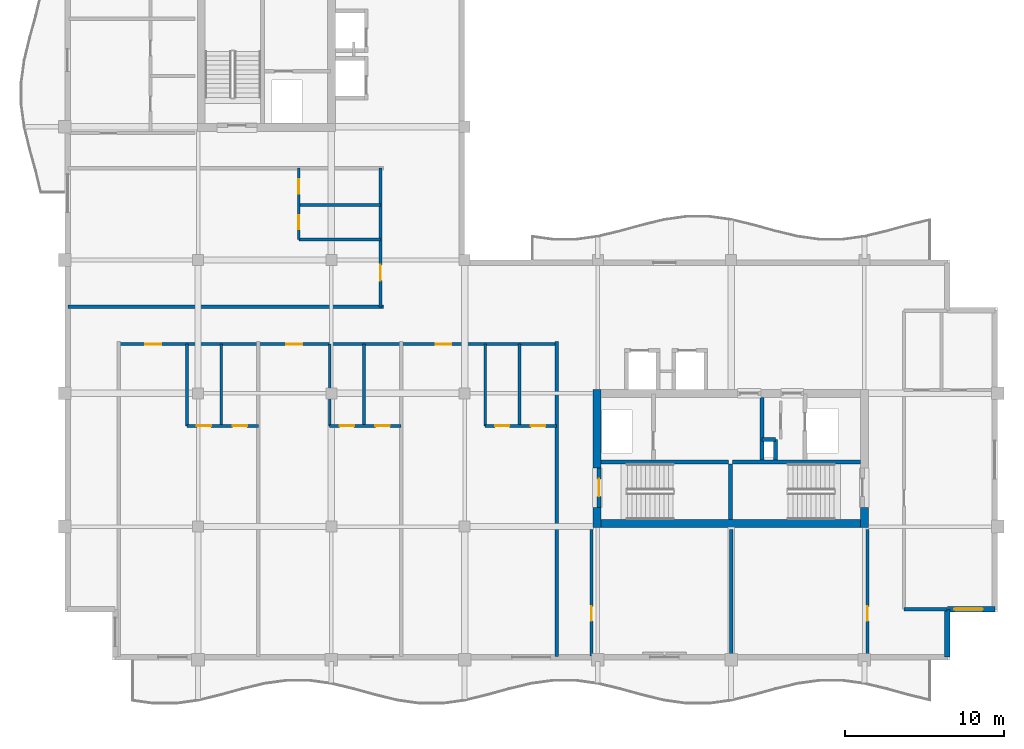
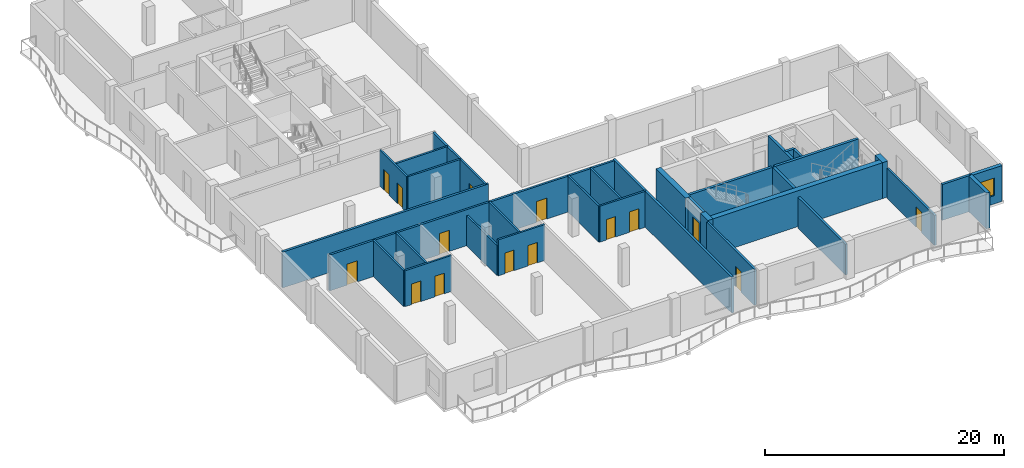
# One storey, part 3 of 10: 33 walls, 15 doors, 1 window, 16 openings.
"""IFC4 building model written with IfcOpenShell, lengths in metres."""

from ifc_helpers import new_model, si_unit, direction, frame, frame_2d, origin, place, context, subcontext, project, spatial, rectangle, extrude, material, layer, layer_set, type_object, element, fill, save


model = new_model("IFC4")

# Units and contexts
model_context = context("Model", 3, precision=1e-05, world=origin(), true_north=direction((0.0, 1.0)))
body_context = subcontext(model_context, "Body", "Model", "MODEL_VIEW")
ifc_project = project(units=[si_unit("LENGTHUNIT", "METRE"), si_unit("AREAUNIT", "SQUARE_METRE"), si_unit("VOLUMEUNIT", "CUBIC_METRE"), si_unit("PLANEANGLEUNIT", "RADIAN"), si_unit("MASSUNIT", "GRAM", prefix="KILO")], contexts=[model_context])

# Site, building, storey
site_placement = place(None, origin())
site = spatial("IfcSite", under=ifc_project, at=site_placement, CompositionType="ELEMENT")
building_placement = place(site_placement, origin())
building = spatial("IfcBuilding", under=site, at=building_placement, Name="Koriwani Terraces Tower", CompositionType="ELEMENT")
storey_placement = place(building_placement, frame((0.0, 0.0, 304.699951171875)))
storey = spatial("IfcBuildingStorey", under=building, at=storey_placement, Name="L75", CompositionType="ELEMENT", Elevation=304.699951171875)

# Walls
ifc_material_1 = material(Name="Concrete C50/60", Category="concrete")
ifc_layer_1 = layer(ifc_material_1, 0.5, Name="Concrete C50/60")
ifc_layer_set_1 = layer_set([ifc_layer_1], Name="Concrete C50/60")
wall_type_1 = type_object("IfcWallType", Name="WALL_CORE_RC_500", PredefinedType="SHEAR", material=ifc_layer_set_1)
wall_1_placement = place(storey_placement, frame((41.949951171875, 16.75, 0.0), z_axis=(0.0, 0.0, 1.0), x_axis=(0.0, 1.0, 0.0)))
element("IfcWall", 1, at=wall_1_placement, inside=storey, type_object=wall_type_1, Name="L75 East Split Core Shear Wall W1", PredefinedType="SHEAR", context=body_context, shape_type="SweptSolid", body=[
    extrude(rectangle(XDim=1.25, YDim=0.5, at=frame_2d((0.625, 0.0))), origin(), (0.0, 0.0, 1.0), 3.670166015625),
])
wall_2_placement = place(storey_placement, frame((41.949951171875, 20.5, 0.0), z_axis=(0.0, 0.0, 1.0), x_axis=(0.0, 1.0, 0.0)))
element("IfcWall", 2, at=wall_2_placement, inside=storey, type_object=wall_type_1, Name="L75 East Split Core Shear Wall W2", PredefinedType="SHEAR", context=body_context, shape_type="SweptSolid", body=[
    extrude(rectangle(XDim=4.949951171875, YDim=0.5, at=frame_2d((2.47509765625, 0.0))), origin(), (0.0, 0.0, 1.0), 3.670166015625),
])
wall_3_placement = place(storey_placement, frame((58.800048828125, 16.75, 0.0), z_axis=(0.0, 0.0, 1.0), x_axis=(0.0, 1.0, 0.0)))
element("IfcWall", 3, at=wall_3_placement, inside=storey, type_object=wall_type_1, Name="L75 East Split Core Shear Wall E1", PredefinedType="SHEAR", context=body_context, shape_type="SweptSolid", body=[
    extrude(rectangle(XDim=1.25, YDim=0.5, at=frame_2d((0.625, 0.0))), origin(), (0.0, 0.0, 1.0), 3.670166015625),
])
wall_4_placement = place(storey_placement, frame((42.199951171875, 17.0, 0.0), z_axis=(0.0, 0.0, 1.0), x_axis=(1.0, 0.0, 0.0)))
element("IfcWall", 4, at=wall_4_placement, inside=storey, type_object=wall_type_1, Name="L75 East Split Core Shear Wall S1", PredefinedType="SHEAR", context=body_context, shape_type="SweptSolid", body=[
    extrude(rectangle(XDim=16.35009765625, YDim=0.5, at=frame_2d((8.175048828125, 0.0))), origin(), (0.0, 0.0, 1.0), 3.670166015625),
])

# Wall, opening, door
ifc_material_2 = material(Name="Autoclaved Cellular Concrete Blockwork", Category="masonry")
ifc_layer_2 = layer(ifc_material_2, 0.199951171875, Name="Autoclaved Cellular Concrete Blockwork")
ifc_layer_set_2 = layer_set([ifc_layer_2], Name="Autoclaved Cellular Concrete Blockwork")
wall_type_2 = type_object("IfcWallType", Name="WALL_CORRIDOR_200", PredefinedType="PARTITIONING", material=ifc_layer_set_2)
wall_5_placement = place(storey_placement, frame((41.60009765625, 8.64990234375, 0.0), z_axis=(0.0, 0.0, 1.0), x_axis=(0.0, 1.0, 0.0)))
wall_5 = element("IfcWall", 5, at=wall_5_placement, inside=storey, type_object=wall_type_2, Name="L75 Interior Wall WRZ4-EW-L75", PredefinedType="PARTITIONING", context=body_context, shape_type="SweptSolid", body=[
    extrude(rectangle(XDim=7.9501953125, YDim=0.199951171875, at=frame_2d((3.97509765625, 0.0))), origin(), (0.0, 0.0, 1.0), 3.670166015625),
])
opening_1_placement = place(wall_5_placement, frame((2.199951171875, 0.0, 0.0)))
opening_1 = element("IfcOpeningElement", 6, at=opening_1_placement, cuts=wall_5, Name="Opening D-06", PredefinedType="OPENING", context=body_context, shape_type="SweptSolid", body=[
    extrude(rectangle(XDim=0.919921875, YDim=2.10009765625, at=frame_2d((0.4599609375, 1.050048828125))), frame((0.0, 0.10986328125, 0.0), z_axis=(0.0, -1.0, 0.0), x_axis=(1.0, 0.0, 0.0)), (0.0, 0.0, 1.0), 0.219970703125),
])
ifc_material_3 = material(Name="Architectural Oak Fire Door", Category="wood")
door_type_1 = type_object("IfcDoorType", Name="DOOR_ROOM_INT_920X2100", OperationType="NOTDEFINED", PredefinedType="DOOR", material=ifc_material_3)
door_1_placement = place(opening_1_placement, origin())
door_1 = element("IfcDoor", 7, at=door_1_placement, inside=storey, type_object=door_type_1, Name="L75 Resident Library Study Door", OperationType="SINGLE_SWING_LEFT", OverallHeight=2.10009765625, OverallWidth=0.919921875, PredefinedType="DOOR", context=body_context, shape_type="SweptSolid", body=[
    extrude(rectangle(XDim=0.919921875, YDim=2.10009765625, at=frame_2d((0.4599609375, 1.050048828125))), frame((0.0, 0.02490234375, 0.0), z_axis=(0.0, -1.0, 0.0), x_axis=(1.0, 0.0, 0.0)), (0.0, 0.0, 1.0), 0.050048828125),
])
fill(opening_1, door_1)

wall_6_placement = place(storey_placement, frame((59.0, 8.64990234375, 0.0), z_axis=(0.0, 0.0, 1.0), x_axis=(0.0, 1.0, 0.0)))
wall_6 = element("IfcWall", 8, at=wall_6_placement, inside=storey, type_object=wall_type_2, Name="L75 Interior Wall WRZ4-EE-L75", PredefinedType="PARTITIONING", context=body_context, shape_type="SweptSolid", body=[
    extrude(rectangle(XDim=7.9501953125, YDim=0.199951171875, at=frame_2d((3.97509765625, 0.0))), origin(), (0.0, 0.0, 1.0), 3.070068359375),
])
opening_2_placement = place(wall_6_placement, frame((2.199951171875, 0.0, 0.0)))
opening_2 = element("IfcOpeningElement", 9, at=opening_2_placement, cuts=wall_6, Name="Opening D-06", PredefinedType="OPENING", context=body_context, shape_type="SweptSolid", body=[
    extrude(rectangle(XDim=0.919921875, YDim=2.10009765625, at=frame_2d((0.4599609375, 1.050048828125))), frame((0.0, 0.10986328125, 0.0), z_axis=(0.0, -1.0, 0.0), x_axis=(1.0, 0.0, 0.0)), (0.0, 0.0, 1.0), 0.219970703125),
])
door_2_placement = place(opening_2_placement, origin())
door_2 = element("IfcDoor", 10, at=door_2_placement, inside=storey, type_object=door_type_1, Name="L75 Resident Laundry Room Door", OperationType="SINGLE_SWING_RIGHT", OverallHeight=2.10009765625, OverallWidth=0.919921875, PredefinedType="DOOR", context=body_context, shape_type="SweptSolid", body=[
    extrude(rectangle(XDim=0.919921875, YDim=2.10009765625, at=frame_2d((0.4599609375, 1.050048828125))), frame((0.0, 0.02490234375, 0.0), z_axis=(0.0, -1.0, 0.0), x_axis=(1.0, 0.0, 0.0)), (0.0, 0.0, 1.0), 0.050048828125),
])
fill(opening_2, door_2)

# Wall, openings, doors
wall_7_placement = place(storey_placement, frame((11.800048828125, 28.300048828125, 0.0), z_axis=(0.0, 0.0, 1.0), x_axis=(1.0, 0.0, 0.0)))
wall_7 = element("IfcWall", 11, at=wall_7_placement, inside=storey, type_object=wall_type_2, Name="L75 Interior Wall WRCOR-L75-SW-0", PredefinedType="PARTITIONING", context=body_context, shape_type="SweptSolid", body=[
    extrude(rectangle(XDim=27.599853515625, YDim=0.199951171875, at=frame_2d((13.7998046875, 0.0))), origin(), (0.0, 0.0, 1.0), 3.670166015625),
])
opening_3_placement = place(wall_7_placement, frame((1.669921875, 0.0, 0.0)))
opening_3 = element("IfcOpeningElement", 12, at=opening_3_placement, cuts=wall_7, Name="Opening D-05", PredefinedType="OPENING", context=body_context, shape_type="SweptSolid", body=[
    extrude(rectangle(XDim=1.0, YDim=2.14990234375, at=frame_2d((0.5, 1.074951171875))), frame((0.0, 0.10986328125, 0.0), z_axis=(0.0, -1.0, 0.0), x_axis=(1.0, 0.0, 0.0)), (0.0, 0.0, 1.0), 0.219970703125),
])
opening_4_placement = place(wall_7_placement, frame((10.570068359375, 0.0, 0.0)))
opening_4 = element("IfcOpeningElement", 13, at=opening_4_placement, cuts=wall_7, Name="Opening D-05", PredefinedType="OPENING", context=body_context, shape_type="SweptSolid", body=[
    extrude(rectangle(XDim=1.0, YDim=2.14990234375, at=frame_2d((0.5, 1.074951171875))), frame((0.0, 0.10986328125, 0.0), z_axis=(0.0, -1.0, 0.0), x_axis=(1.0, 0.0, 0.0)), (0.0, 0.0, 1.0), 0.219970703125),
])
opening_5_placement = place(wall_7_placement, frame((19.969970703125, 0.0, 0.0)))
opening_5 = element("IfcOpeningElement", 14, at=opening_5_placement, cuts=wall_7, Name="Opening D-05", PredefinedType="OPENING", context=body_context, shape_type="SweptSolid", body=[
    extrude(rectangle(XDim=1.0, YDim=2.14990234375, at=frame_2d((0.5, 1.074951171875))), frame((0.0, 0.10986328125, 0.0), z_axis=(0.0, -1.0, 0.0), x_axis=(1.0, 0.0, 0.0)), (0.0, 0.0, 1.0), 0.219970703125),
])
door_type_2 = type_object("IfcDoorType", Name="DOOR_SUITE_ENTRY_1000X2150", OperationType="NOTDEFINED", PredefinedType="DOOR", material=ifc_material_3)
door_3_placement = place(opening_3_placement, origin())
door_3 = element("IfcDoor", 15, at=door_3_placement, inside=storey, type_object=door_type_2, Name="Apartment 75SW1 Entrance Door", OperationType="SINGLE_SWING_LEFT", OverallHeight=2.14990234375, OverallWidth=1.0, PredefinedType="DOOR", context=body_context, shape_type="SweptSolid", body=[
    extrude(rectangle(XDim=1.0, YDim=2.14990234375, at=frame_2d((0.5, 1.074951171875))), frame((0.0, 0.02490234375, 0.0), z_axis=(0.0, -1.0, 0.0), x_axis=(1.0, 0.0, 0.0)), (0.0, 0.0, 1.0), 0.050048828125),
])
fill(opening_3, door_3)
door_4_placement = place(opening_4_placement, origin())
door_4 = element("IfcDoor", 16, at=door_4_placement, inside=storey, type_object=door_type_2, Name="Apartment 75SW2 Entrance Door", OperationType="SINGLE_SWING_RIGHT", OverallHeight=2.14990234375, OverallWidth=1.0, PredefinedType="DOOR", context=body_context, shape_type="SweptSolid", body=[
    extrude(rectangle(XDim=1.0, YDim=2.14990234375, at=frame_2d((0.5, 1.074951171875))), frame((0.0, 0.02490234375, 0.0), z_axis=(0.0, -1.0, 0.0), x_axis=(1.0, 0.0, 0.0)), (0.0, 0.0, 1.0), 0.050048828125),
])
fill(opening_4, door_4)
door_5_placement = place(opening_5_placement, origin())
door_5 = element("IfcDoor", 17, at=door_5_placement, inside=storey, type_object=door_type_2, Name="Apartment 75SW3 Entrance Door", OperationType="SINGLE_SWING_LEFT", OverallHeight=2.14990234375, OverallWidth=1.0, PredefinedType="DOOR", context=body_context, shape_type="SweptSolid", body=[
    extrude(rectangle(XDim=1.0, YDim=2.14990234375, at=frame_2d((0.5, 1.074951171875))), frame((0.0, 0.02490234375, 0.0), z_axis=(0.0, -1.0, 0.0), x_axis=(1.0, 0.0, 0.0)), (0.0, 0.0, 1.0), 0.050048828125),
])
fill(opening_5, door_5)

# Wall, opening, door
wall_8_placement = place(storey_placement, frame((28.300048828125, 30.64990234375, 0.0), z_axis=(0.0, 0.0, 1.0), x_axis=(0.0, 1.0, 0.0)))
wall_8 = element("IfcWall", 18, at=wall_8_placement, inside=storey, type_object=wall_type_2, Name="L75 Interior Wall WRCOR-L75-NE-0", PredefinedType="PARTITIONING", context=body_context, shape_type="SweptSolid", body=[
    extrude(rectangle(XDim=8.75, YDim=0.199951171875, at=frame_2d((4.375, 0.0))), origin(), (0.0, 0.0, 1.0), 3.670166015625),
])
opening_6_placement = place(wall_8_placement, frame((1.64501953125, 0.0, 0.0)))
opening_6 = element("IfcOpeningElement", 19, at=opening_6_placement, cuts=wall_8, Name="Opening D-05", PredefinedType="OPENING", context=body_context, shape_type="SweptSolid", body=[
    extrude(rectangle(XDim=1.0, YDim=2.14990234375, at=frame_2d((0.5, 1.074951171875))), frame((0.0, 0.10986328125, 0.0), z_axis=(0.0, -1.0, 0.0), x_axis=(1.0, 0.0, 0.0)), (0.0, 0.0, 1.0), 0.219970703125),
])
door_6_placement = place(opening_6_placement, origin())
door_6 = element("IfcDoor", 20, at=door_6_placement, inside=storey, type_object=door_type_2, Name="Apartment 75NE1 Entrance Door", OperationType="SINGLE_SWING_RIGHT", OverallHeight=2.14990234375, OverallWidth=1.0, PredefinedType="DOOR", context=body_context, shape_type="SweptSolid", body=[
    extrude(rectangle(XDim=1.0, YDim=2.14990234375, at=frame_2d((0.5, 1.074951171875))), frame((0.0, 0.02490234375, 0.0), z_axis=(0.0, -1.0, 0.0), x_axis=(1.0, 0.0, 0.0)), (0.0, 0.0, 1.0), 0.050048828125),
])
fill(opening_6, door_6)

# Walls
ifc_layer_3 = layer(ifc_material_2, 0.219970703125, Name="Autoclaved Cellular Concrete Blockwork")
ifc_layer_set_3 = layer_set([ifc_layer_3], Name="Autoclaved Cellular Concrete Blockwork")
wall_type_3 = type_object("IfcWallType", Name="WALL_DEMISING_220", PredefinedType="PARTITIONING", material=ifc_layer_set_3)
wall_9_placement = place(storey_placement, frame((50.39990234375, 8.64990234375, 0.0), z_axis=(0.0, 0.0, 1.0), x_axis=(0.0, 1.0, 0.0)))
element("IfcWall", 21, at=wall_9_placement, inside=storey, type_object=wall_type_3, Name="L75 Interior Wall WRZ4-EM-L75", PredefinedType="PARTITIONING", context=body_context, shape_type="SweptSolid", body=[
    extrude(rectangle(XDim=7.9501953125, YDim=0.219970703125, at=frame_2d((3.97509765625, 0.0))), origin(), (0.0, 0.0, 1.0), 3.126953125),
])
for number, where, z_axis, x_axis, name in (
    (22, (39.39990234375, 8.60009765625, 0.0), (0.0, 0.0, 1.0), (0.0, 1.0, 0.0), "L75 Interior Wall WRDEME-L75-SW"),
    (23, (8.60009765625, 30.64990234375, 0.0), (0.0, 0.0, 1.0), (1.0, 0.0, 0.0), "L75 Interior Wall WRDEM-L75-NE-0"),
):
    element("IfcWall", number, at=place(storey_placement, frame(where, z_axis=z_axis, x_axis=x_axis)), inside=storey, type_object=wall_type_3, Name=name, PredefinedType="PARTITIONING", context=body_context, shape_type="SweptSolid", body=[
        extrude(rectangle(XDim=19.8798828125, YDim=0.219970703125, at=frame_2d((9.93994140625, 0.0))), origin(), (0.0, 0.0, 1.0), 3.670166015625),
    ])
wall_10_placement = place(storey_placement, frame((61.300048828125, 11.60009765625, 0.0), z_axis=(0.0, 0.0, 1.0), x_axis=(1.0, 0.0, 0.0)))
element("IfcWall", 24, at=wall_10_placement, inside=storey, type_object=wall_type_3, Name="L75 Interior Wall WET-S-L75", PredefinedType="PARTITIONING", context=body_context, shape_type="SweptSolid", body=[
    extrude(rectangle(XDim=2.699951171875, YDim=0.219970703125, at=frame_2d((1.35009765625, 0.0))), origin(), (0.0, 0.0, 1.0), 3.670166015625),
])

# Wall, opening, window
ifc_layer_4 = layer(ifc_material_1, 0.35009765625, Name="Concrete C50/60")
ifc_layer_set_4 = layer_set([ifc_layer_4], Name="Concrete C50/60")
wall_type_4 = type_object("IfcWallType", Name="WALL_EXT_BRUTALIST_350", PredefinedType="STANDARD", material=ifc_layer_set_4)
wall_11_placement = place(storey_placement, frame((67.02490234375, 11.574951171875, 0.0), z_axis=(0.0, 0.0, 1.0), x_axis=(-1.0, 0.0, 0.0)))
wall_11 = element("IfcWall", 25, at=wall_11_placement, inside=storey, type_object=wall_type_4, Name="L75 Fair-Faced Brutalist Exterior Wall (N13)", PredefinedType="STANDARD", context=body_context, shape_type="SweptSolid", body=[
    extrude(rectangle(XDim=3.0, YDim=0.35009765625, at=frame_2d((1.5, 0.0))), origin(), (0.0, 0.0, 1.0), 3.670166015625),
])
opening_7_placement = place(wall_11_placement, frame((0.762451171875, 0.0, 0.85009765625)))
opening_7 = element("IfcOpeningElement", 26, at=opening_7_placement, cuts=wall_11, Name="Opening W-04", PredefinedType="OPENING", context=body_context, shape_type="SweptSolid", body=[
    extrude(rectangle(XDim=1.800048828125, YDim=1.800048828125, at=frame_2d((0.89990234375, 0.89990234375))), frame((0.0, 0.18505859375, 0.0), z_axis=(0.0, -1.0, 0.0), x_axis=(1.0, 0.0, 0.0)), (0.0, 0.0, 1.0), 0.3701171875),
])
ifc_material_4 = material(Name="Tempered Laminated Low-E Glass", Category="glass")
window_type = type_object("IfcWindowType", Name="WIN_RES_BED_1800X1800", PartitioningType="DOUBLE_PANEL_VERTICAL", PredefinedType="WINDOW", material=ifc_material_4)
window_placement = place(opening_7_placement, origin())
window = element("IfcWindow", 27, at=window_placement, inside=storey, type_object=window_type, Name="L75 Exterior Window (N13-R49)", OverallHeight=1.800048828125, OverallWidth=1.800048828125, PartitioningType="SINGLE_PANEL", PredefinedType="WINDOW", context=body_context, shape_type="SweptSolid", body=[
    extrude(rectangle(XDim=1.800048828125, YDim=1.800048828125, at=frame_2d((0.89990234375, 0.89990234375))), frame((0.0, 0.030029296875, 0.0), z_axis=(0.0, -1.0, 0.0), x_axis=(1.0, 0.0, 0.0)), (0.0, 0.0, 1.0), 0.06005859375),
])
fill(opening_7, window)

# Wall
wall_12_placement = place(storey_placement, frame((64.02490234375, 11.574951171875, 0.0), z_axis=(0.0, 0.0, 1.0), x_axis=(0.0, -1.0, 0.0)))
element("IfcWall", 28, at=wall_12_placement, inside=storey, type_object=wall_type_4, Name="L75 Fair-Faced Brutalist Exterior Wall (N14)", PredefinedType="STANDARD", context=body_context, shape_type="SweptSolid", body=[
    extrude(rectangle(XDim=3.0, YDim=0.35009765625, at=frame_2d((1.5, 0.0))), origin(), (0.0, 0.0, 1.0), 3.670166015625),
])

# Wall, openings, doors
ifc_material_5 = material(Name="Fire-Rated Acoustic Gypsum Partition", Category="masonry")
ifc_layer_5 = layer(ifc_material_5, 0.179931640625, Name="Fire-Rated Acoustic Gypsum Partition")
ifc_layer_set_5 = layer_set([ifc_layer_5], Name="Fire-Rated Acoustic Gypsum Partition")
wall_type_5 = type_object("IfcWallType", Name="WALL_PLUMBING_180", PredefinedType="PLUMBINGWALL", material=ifc_layer_set_5)
wall_13_placement = place(storey_placement, frame((16.10009765625, 23.14990234375, 0.0), z_axis=(0.0, 0.0, 1.0), x_axis=(1.0, 0.0, 0.0)))
wall_13 = element("IfcWall", 29, at=wall_13_placement, inside=storey, type_object=wall_type_5, Name="L75 Interior Wall WRSVC-L75-SW-0", PredefinedType="PLUMBINGWALL", context=body_context, shape_type="SweptSolid", body=[
    extrude(rectangle(XDim=4.5, YDim=0.179931640625, at=frame_2d((2.25, 0.0))), origin(), (0.0, 0.0, 1.0), 3.670166015625),
])
opening_8_placement = place(wall_13_placement, frame((0.6298828125, 0.0, 0.0)))
opening_8 = element("IfcOpeningElement", 30, at=opening_8_placement, cuts=wall_13, Name="Opening D-07", PredefinedType="OPENING", context=body_context, shape_type="SweptSolid", body=[
    extrude(rectangle(XDim=0.89990234375, YDim=2.10009765625, at=frame_2d((0.449951171875, 1.050048828125))), frame((0.0, 0.10009765625, 0.0), z_axis=(0.0, -1.0, 0.0), x_axis=(1.0, 0.0, 0.0)), (0.0, 0.0, 1.0), 0.199951171875),
])
opening_9_placement = place(wall_13_placement, frame((2.8701171875, 0.0, 0.0)))
opening_9 = element("IfcOpeningElement", 31, at=opening_9_placement, cuts=wall_13, Name="Opening D-06", PredefinedType="OPENING", context=body_context, shape_type="SweptSolid", body=[
    extrude(rectangle(XDim=0.919921875, YDim=2.10009765625, at=frame_2d((0.4599609375, 1.050048828125))), frame((0.0, 0.10009765625, 0.0), z_axis=(0.0, -1.0, 0.0), x_axis=(1.0, 0.0, 0.0)), (0.0, 0.0, 1.0), 0.199951171875),
])
door_type_3 = type_object("IfcDoorType", Name="DOOR_BATH_INT_900X2100", OperationType="NOTDEFINED", PredefinedType="DOOR", material=ifc_material_3)
door_7_placement = place(opening_8_placement, origin())
door_7 = element("IfcDoor", 32, at=door_7_placement, inside=storey, type_object=door_type_3, Name="Apartment 75SW1 Bathroom Door", OperationType="SINGLE_SWING_RIGHT", OverallHeight=2.10009765625, OverallWidth=0.89990234375, PredefinedType="DOOR", context=body_context, shape_type="SweptSolid", body=[
    extrude(rectangle(XDim=0.89990234375, YDim=2.10009765625, at=frame_2d((0.449951171875, 1.050048828125))), frame((0.0, 0.02490234375, 0.0), z_axis=(0.0, -1.0, 0.0), x_axis=(1.0, 0.0, 0.0)), (0.0, 0.0, 1.0), 0.050048828125),
])
fill(opening_8, door_7)
door_8_placement = place(opening_9_placement, origin())
door_8 = element("IfcDoor", 33, at=door_8_placement, inside=storey, type_object=door_type_1, Name="Apartment 75SW1 Kitchen Door", OperationType="SINGLE_SWING_LEFT", OverallHeight=2.10009765625, OverallWidth=0.919921875, PredefinedType="DOOR", context=body_context, shape_type="SweptSolid", body=[
    extrude(rectangle(XDim=0.919921875, YDim=2.10009765625, at=frame_2d((0.4599609375, 1.050048828125))), frame((0.0, 0.02490234375, 0.0), z_axis=(0.0, -1.0, 0.0), x_axis=(1.0, 0.0, 0.0)), (0.0, 0.0, 1.0), 0.050048828125),
])
fill(opening_9, door_8)

# Walls
for number, where, z_axis, x_axis, name in (
    (34, (16.10009765625, 23.14990234375, 0.0), (0.0, 0.0, 1.0), (0.0, 1.0, 0.0), "L75 Interior Wall WRSVCS-L75-SW-0"),
    (35, (18.260009765625, 23.14990234375, 0.0), (0.0, 0.0, 1.0), (0.0, 1.0, 0.0), "L75 Interior Wall WRSVCM-L75-SW-0"),
):
    element("IfcWall", number, at=place(storey_placement, frame(where, z_axis=z_axis, x_axis=x_axis)), inside=storey, type_object=wall_type_5, Name=name, PredefinedType="PLUMBINGWALL", context=body_context, shape_type="SweptSolid", body=[
        extrude(rectangle(XDim=5.150146484375, YDim=0.179931640625, at=frame_2d((2.5751953125, 0.0))), origin(), (0.0, 0.0, 1.0), 3.670166015625),
    ])

# Wall, openings, doors
wall_14_placement = place(storey_placement, frame((25.10009765625, 23.14990234375, 0.0), z_axis=(0.0, 0.0, 1.0), x_axis=(1.0, 0.0, 0.0)))
wall_14 = element("IfcWall", 36, at=wall_14_placement, inside=storey, type_object=wall_type_5, Name="L75 Interior Wall WRSVC-L75-SW-1", PredefinedType="PLUMBINGWALL", context=body_context, shape_type="SweptSolid", body=[
    extrude(rectangle(XDim=4.5, YDim=0.179931640625, at=frame_2d((2.25, 0.0))), origin(), (0.0, 0.0, 1.0), 3.670166015625),
])
opening_10_placement = place(wall_14_placement, frame((0.6298828125, 0.0, 0.0)))
opening_10 = element("IfcOpeningElement", 37, at=opening_10_placement, cuts=wall_14, Name="Opening D-07", PredefinedType="OPENING", context=body_context, shape_type="SweptSolid", body=[
    extrude(rectangle(XDim=0.89990234375, YDim=2.10009765625, at=frame_2d((0.449951171875, 1.050048828125))), frame((0.0, 0.10009765625, 0.0), z_axis=(0.0, -1.0, 0.0), x_axis=(1.0, 0.0, 0.0)), (0.0, 0.0, 1.0), 0.199951171875),
])
opening_11_placement = place(wall_14_placement, frame((2.8701171875, 0.0, 0.0)))
opening_11 = element("IfcOpeningElement", 38, at=opening_11_placement, cuts=wall_14, Name="Opening D-06", PredefinedType="OPENING", context=body_context, shape_type="SweptSolid", body=[
    extrude(rectangle(XDim=0.919921875, YDim=2.10009765625, at=frame_2d((0.4599609375, 1.050048828125))), frame((0.0, 0.10009765625, 0.0), z_axis=(0.0, -1.0, 0.0), x_axis=(1.0, 0.0, 0.0)), (0.0, 0.0, 1.0), 0.199951171875),
])
door_9_placement = place(opening_10_placement, origin())
door_9 = element("IfcDoor", 39, at=door_9_placement, inside=storey, type_object=door_type_3, Name="Apartment 75SW2 Bathroom Door", OperationType="SINGLE_SWING_LEFT", OverallHeight=2.10009765625, OverallWidth=0.89990234375, PredefinedType="DOOR", context=body_context, shape_type="SweptSolid", body=[
    extrude(rectangle(XDim=0.89990234375, YDim=2.10009765625, at=frame_2d((0.449951171875, 1.050048828125))), frame((0.0, 0.02490234375, 0.0), z_axis=(0.0, -1.0, 0.0), x_axis=(1.0, 0.0, 0.0)), (0.0, 0.0, 1.0), 0.050048828125),
])
fill(opening_10, door_9)
door_10_placement = place(opening_11_placement, origin())
door_10 = element("IfcDoor", 40, at=door_10_placement, inside=storey, type_object=door_type_1, Name="Apartment 75SW2 Kitchen Door", OperationType="SINGLE_SWING_RIGHT", OverallHeight=2.10009765625, OverallWidth=0.919921875, PredefinedType="DOOR", context=body_context, shape_type="SweptSolid", body=[
    extrude(rectangle(XDim=0.919921875, YDim=2.10009765625, at=frame_2d((0.4599609375, 1.050048828125))), frame((0.0, 0.02490234375, 0.0), z_axis=(0.0, -1.0, 0.0), x_axis=(1.0, 0.0, 0.0)), (0.0, 0.0, 1.0), 0.050048828125),
])
fill(opening_11, door_10)

# Walls
wall_15_placement = place(storey_placement, frame((25.10009765625, 23.14990234375, 0.0), z_axis=(0.0, 0.0, 1.0), x_axis=(0.0, 1.0, 0.0)))
element("IfcWall", 41, at=wall_15_placement, inside=storey, type_object=wall_type_5, Name="L75 Interior Wall WRSVCS-L75-SW-1", PredefinedType="PLUMBINGWALL", context=body_context, shape_type="SweptSolid", body=[
    extrude(rectangle(XDim=5.150146484375, YDim=0.179931640625, at=frame_2d((2.5751953125, 0.0))), origin(), (0.0, 0.0, 1.0), 3.070068359375),
])
wall_16_placement = place(storey_placement, frame((27.260009765625, 23.14990234375, 0.0), z_axis=(0.0, 0.0, 1.0), x_axis=(0.0, 1.0, 0.0)))
element("IfcWall", 42, at=wall_16_placement, inside=storey, type_object=wall_type_5, Name="L75 Interior Wall WRSVCM-L75-SW-1", PredefinedType="PLUMBINGWALL", context=body_context, shape_type="SweptSolid", body=[
    extrude(rectangle(XDim=5.150146484375, YDim=0.179931640625, at=frame_2d((2.5751953125, 0.0))), origin(), (0.0, 0.0, 1.0), 3.670166015625),
])

# Wall, openings, doors
wall_17_placement = place(storey_placement, frame((34.89990234375, 23.14990234375, 0.0), z_axis=(0.0, 0.0, 1.0), x_axis=(1.0, 0.0, 0.0)))
wall_17 = element("IfcWall", 43, at=wall_17_placement, inside=storey, type_object=wall_type_5, Name="L75 Interior Wall WRSVC-L75-SW-2", PredefinedType="PLUMBINGWALL", context=body_context, shape_type="SweptSolid", body=[
    extrude(rectangle(XDim=4.5, YDim=0.179931640625, at=frame_2d((2.25, 0.0))), origin(), (0.0, 0.0, 1.0), 3.670166015625),
])
opening_12_placement = place(wall_17_placement, frame((0.6298828125, 0.0, 0.0)))
opening_12 = element("IfcOpeningElement", 44, at=opening_12_placement, cuts=wall_17, Name="Opening D-07", PredefinedType="OPENING", context=body_context, shape_type="SweptSolid", body=[
    extrude(rectangle(XDim=0.89990234375, YDim=2.10009765625, at=frame_2d((0.449951171875, 1.050048828125))), frame((0.0, 0.10009765625, 0.0), z_axis=(0.0, -1.0, 0.0), x_axis=(1.0, 0.0, 0.0)), (0.0, 0.0, 1.0), 0.199951171875),
])
opening_13_placement = place(wall_17_placement, frame((2.8701171875, 0.0, 0.0)))
opening_13 = element("IfcOpeningElement", 45, at=opening_13_placement, cuts=wall_17, Name="Opening D-06", PredefinedType="OPENING", context=body_context, shape_type="SweptSolid", body=[
    extrude(rectangle(XDim=0.919921875, YDim=2.10009765625, at=frame_2d((0.4599609375, 1.050048828125))), frame((0.0, 0.10009765625, 0.0), z_axis=(0.0, -1.0, 0.0), x_axis=(1.0, 0.0, 0.0)), (0.0, 0.0, 1.0), 0.199951171875),
])
door_11_placement = place(opening_12_placement, origin())
door_11 = element("IfcDoor", 46, at=door_11_placement, inside=storey, type_object=door_type_3, Name="Apartment 75SW3 Bathroom Door", OperationType="SINGLE_SWING_RIGHT", OverallHeight=2.10009765625, OverallWidth=0.89990234375, PredefinedType="DOOR", context=body_context, shape_type="SweptSolid", body=[
    extrude(rectangle(XDim=0.89990234375, YDim=2.10009765625, at=frame_2d((0.449951171875, 1.050048828125))), frame((0.0, 0.02490234375, 0.0), z_axis=(0.0, -1.0, 0.0), x_axis=(1.0, 0.0, 0.0)), (0.0, 0.0, 1.0), 0.050048828125),
])
fill(opening_12, door_11)
door_12_placement = place(opening_13_placement, origin())
door_12 = element("IfcDoor", 47, at=door_12_placement, inside=storey, type_object=door_type_1, Name="Apartment 75SW3 Kitchen Door", OperationType="SINGLE_SWING_LEFT", OverallHeight=2.10009765625, OverallWidth=0.919921875, PredefinedType="DOOR", context=body_context, shape_type="SweptSolid", body=[
    extrude(rectangle(XDim=0.919921875, YDim=2.10009765625, at=frame_2d((0.4599609375, 1.050048828125))), frame((0.0, 0.02490234375, 0.0), z_axis=(0.0, -1.0, 0.0), x_axis=(1.0, 0.0, 0.0)), (0.0, 0.0, 1.0), 0.050048828125),
])
fill(opening_13, door_12)

# Walls
for number, where, z_axis, x_axis, name in (
    (48, (34.89990234375, 23.14990234375, 0.0), (0.0, 0.0, 1.0), (0.0, 1.0, 0.0), "L75 Interior Wall WRSVCS-L75-SW-2"),
    (49, (37.06005859375, 23.14990234375, 0.0), (0.0, 0.0, 1.0), (0.0, 1.0, 0.0), "L75 Interior Wall WRSVCM-L75-SW-2"),
):
    element("IfcWall", number, at=place(storey_placement, frame(where, z_axis=z_axis, x_axis=x_axis)), inside=storey, type_object=wall_type_5, Name=name, PredefinedType="PLUMBINGWALL", context=body_context, shape_type="SweptSolid", body=[
        extrude(rectangle(XDim=5.150146484375, YDim=0.179931640625, at=frame_2d((2.5751953125, 0.0))), origin(), (0.0, 0.0, 1.0), 3.670166015625),
    ])

# Wall, openings, doors
wall_18_placement = place(storey_placement, frame((23.14990234375, 34.89990234375, 0.0), z_axis=(0.0, 0.0, 1.0), x_axis=(0.0, 1.0, 0.0)))
wall_18 = element("IfcWall", 50, at=wall_18_placement, inside=storey, type_object=wall_type_5, Name="L75 Interior Wall WRSVC-L75-NE-0", PredefinedType="PLUMBINGWALL", context=body_context, shape_type="SweptSolid", body=[
    extrude(rectangle(XDim=4.5, YDim=0.179931640625, at=frame_2d((2.25, 0.0))), origin(), (0.0, 0.0, 1.0), 3.670166015625),
])
opening_14_placement = place(wall_18_placement, frame((0.6298828125, 0.0, 0.0)))
opening_14 = element("IfcOpeningElement", 51, at=opening_14_placement, cuts=wall_18, Name="Opening D-07", PredefinedType="OPENING", context=body_context, shape_type="SweptSolid", body=[
    extrude(rectangle(XDim=0.89990234375, YDim=2.10009765625, at=frame_2d((0.449951171875, 1.050048828125))), frame((0.0, 0.10009765625, 0.0), z_axis=(0.0, -1.0, 0.0), x_axis=(1.0, 0.0, 0.0)), (0.0, 0.0, 1.0), 0.199951171875),
])
opening_15_placement = place(wall_18_placement, frame((2.8701171875, 0.0, 0.0)))
opening_15 = element("IfcOpeningElement", 52, at=opening_15_placement, cuts=wall_18, Name="Opening D-06", PredefinedType="OPENING", context=body_context, shape_type="SweptSolid", body=[
    extrude(rectangle(XDim=0.919921875, YDim=2.10009765625, at=frame_2d((0.4599609375, 1.050048828125))), frame((0.0, 0.10009765625, 0.0), z_axis=(0.0, -1.0, 0.0), x_axis=(1.0, 0.0, 0.0)), (0.0, 0.0, 1.0), 0.199951171875),
])
door_13_placement = place(opening_14_placement, origin())
door_13 = element("IfcDoor", 53, at=door_13_placement, inside=storey, type_object=door_type_3, Name="Apartment 75NE1 Bathroom Door", OperationType="SINGLE_SWING_LEFT", OverallHeight=2.10009765625, OverallWidth=0.89990234375, PredefinedType="DOOR", context=body_context, shape_type="SweptSolid", body=[
    extrude(rectangle(XDim=0.89990234375, YDim=2.10009765625, at=frame_2d((0.449951171875, 1.050048828125))), frame((0.0, 0.02490234375, 0.0), z_axis=(0.0, -1.0, 0.0), x_axis=(1.0, 0.0, 0.0)), (0.0, 0.0, 1.0), 0.050048828125),
])
fill(opening_14, door_13)
door_14_placement = place(opening_15_placement, origin())
door_14 = element("IfcDoor", 54, at=door_14_placement, inside=storey, type_object=door_type_1, Name="Apartment 75NE1 Kitchen Door", OperationType="SINGLE_SWING_RIGHT", OverallHeight=2.10009765625, OverallWidth=0.919921875, PredefinedType="DOOR", context=body_context, shape_type="SweptSolid", body=[
    extrude(rectangle(XDim=0.919921875, YDim=2.10009765625, at=frame_2d((0.4599609375, 1.050048828125))), frame((0.0, 0.02490234375, 0.0), z_axis=(0.0, -1.0, 0.0), x_axis=(1.0, 0.0, 0.0)), (0.0, 0.0, 1.0), 0.050048828125),
])
fill(opening_15, door_14)

# Walls
for number, where, z_axis, x_axis, name in (
    (55, (23.14990234375, 34.89990234375, 0.0), (0.0, 0.0, 1.0), (1.0, 0.0, 0.0), "L75 Interior Wall WRSVCS-L75-NE-0"),
    (56, (23.14990234375, 37.06005859375, 0.0), (0.0, 0.0, 1.0), (1.0, 0.0, 0.0), "L75 Interior Wall WRSVCM-L75-NE-0"),
):
    element("IfcWall", number, at=place(storey_placement, frame(where, z_axis=z_axis, x_axis=x_axis)), inside=storey, type_object=wall_type_5, Name=name, PredefinedType="PLUMBINGWALL", context=body_context, shape_type="SweptSolid", body=[
        extrude(rectangle(XDim=5.150146484375, YDim=0.179931640625, at=frame_2d((2.5751953125, 0.0))), origin(), (0.0, 0.0, 1.0), 3.670166015625),
    ])
ifc_material_6 = material(Name="Concrete C40/50", Category="concrete")
ifc_layer_6 = layer(ifc_material_6, 0.25, Name="Concrete C40/50")
ifc_layer_set_6 = layer_set([ifc_layer_6], Name="Concrete C40/50")
wall_type_6 = type_object("IfcWallType", Name="WALL_SHAFT_RATED_250", PredefinedType="SOLIDWALL", material=ifc_layer_set_6)
for number, where, z_axis, x_axis, name in (
    (57, (42.199951171875, 20.875, 0.0), (0.0, 0.0, 1.0), (1.0, 0.0, 0.0), "L75 East Split Core Web Wall MID1"),
    (58, (50.5, 20.875, 0.0), (0.0, 0.0, 1.0), (1.0, 0.0, 0.0), "L75 East Split Core Web Wall MID2"),
):
    element("IfcWall", number, at=place(storey_placement, frame(where, z_axis=z_axis, x_axis=x_axis)), inside=storey, type_object=wall_type_6, Name=name, PredefinedType="SOLIDWALL", context=body_context, shape_type="SweptSolid", body=[
        extrude(rectangle(XDim=8.050048828125, YDim=0.25, at=frame_2d((4.02490234375, 0.0))), origin(), (0.0, 0.0, 1.0), 3.670166015625),
    ])
wall_19_placement = place(storey_placement, frame((50.375, 17.25, 0.0), z_axis=(0.0, 0.0, 1.0), x_axis=(0.0, 1.0, 0.0)))
element("IfcWall", 59, at=wall_19_placement, inside=storey, type_object=wall_type_6, Name="L75 East Split Core Stair Dividing Wall", PredefinedType="SOLIDWALL", context=body_context, shape_type="SweptSolid", body=[
    extrude(rectangle(XDim=3.5, YDim=0.25, at=frame_2d((1.75, 0.0))), origin(), (0.0, 0.0, 1.0), 3.670166015625),
])

# Wall, opening, door
wall_20_placement = place(storey_placement, frame((42.074951171875, 18.0, 0.0), z_axis=(0.0, 0.0, 1.0), x_axis=(0.0, 1.0, 0.0)))
wall_20 = element("IfcWall", 60, at=wall_20_placement, inside=storey, type_object=wall_type_6, Name="L75 Interior Wall WIN-CE-L75-STW", PredefinedType="SOLIDWALL", context=body_context, shape_type="SweptSolid", body=[
    extrude(rectangle(XDim=2.5, YDim=0.25, at=frame_2d((1.25, 0.0))), origin(), (0.0, 0.0, 1.0), 3.670166015625),
])
opening_16_placement = place(wall_20_placement, frame((0.699951171875, 0.0, 0.0)))
opening_16 = element("IfcOpeningElement", 61, at=opening_16_placement, cuts=wall_20, Name="Opening D-03", PredefinedType="OPENING", context=body_context, shape_type="SweptSolid", body=[
    extrude(rectangle(XDim=1.10009765625, YDim=2.14990234375, at=frame_2d((0.550048828125, 1.074951171875))), frame((0.0, 0.135009765625, 0.0), z_axis=(0.0, -1.0, 0.0), x_axis=(1.0, 0.0, 0.0)), (0.0, 0.0, 1.0), 0.27001953125),
])
ifc_material_7 = material(Name="Steel ASTM A572 Grade 50", Category="steel")
door_type_4 = type_object("IfcDoorType", Name="DOOR_STAIR_FIRE_1100X2150", OperationType="NOTDEFINED", PredefinedType="DOOR", material=ifc_material_7)
door_15_placement = place(opening_16_placement, origin())
door_15 = element("IfcDoor", 62, at=door_15_placement, inside=storey, type_object=door_type_4, Name="L75 Exit Stair ST-E1 Door", OperationType="SINGLE_SWING_RIGHT", OverallHeight=2.14990234375, OverallWidth=1.10009765625, PredefinedType="DOOR", context=body_context, shape_type="SweptSolid", body=[
    extrude(rectangle(XDim=1.10009765625, YDim=2.14990234375, at=frame_2d((0.550048828125, 1.074951171875))), frame((0.0, 0.02490234375, 0.0), z_axis=(0.0, -1.0, 0.0), x_axis=(1.0, 0.0, 0.0)), (0.0, 0.0, 1.0), 0.050048828125),
])
fill(opening_16, door_15)

# Walls
wall_21_placement = place(storey_placement, frame((52.340087890625, 21.0, 0.0), z_axis=(0.0, 0.0, 1.0), x_axis=(0.0, 1.0, 0.0)))
element("IfcWall", 63, at=wall_21_placement, inside=storey, type_object=wall_type_6, Name="L75 Interior Wall WIN-CE-L75-FFE", PredefinedType="SOLIDWALL", context=body_context, shape_type="SweptSolid", body=[
    extrude(rectangle(XDim=3.949951171875, YDim=0.25, at=frame_2d((1.97509765625, 0.0))), origin(), (0.0, 0.0, 1.0), 3.670166015625),
])
wall_22_placement = place(storey_placement, frame((53.199951171875, 21.0, 0.0), z_axis=(0.0, 0.0, 1.0), x_axis=(0.0, 1.0, 0.0)))
element("IfcWall", 64, at=wall_22_placement, inside=storey, type_object=wall_type_6, Name="L75 Interior Wall WIN-CE-L75-RS1", PredefinedType="SOLIDWALL", context=body_context, shape_type="SweptSolid", body=[
    extrude(rectangle(XDim=1.300048828125, YDim=0.25, at=frame_2d((0.64990234375, 0.0))), origin(), (0.0, 0.0, 1.0), 3.670166015625),
])
wall_23_placement = place(storey_placement, frame((52.360107421875, 22.300048828125, 0.0), z_axis=(0.0, 0.0, 1.0), x_axis=(1.0, 0.0, 0.0)))
element("IfcWall", 65, at=wall_23_placement, inside=storey, type_object=wall_type_6, Name="L75 Interior Wall WIN-CE-L75-RS2", PredefinedType="SOLIDWALL", context=body_context, shape_type="SweptSolid", body=[
    extrude(rectangle(XDim=0.83984375, YDim=0.25, at=frame_2d((0.419921875, 0.0))), origin(), (0.0, 0.0, 1.0), 3.670166015625),
])

save(model, "model.ifc")
